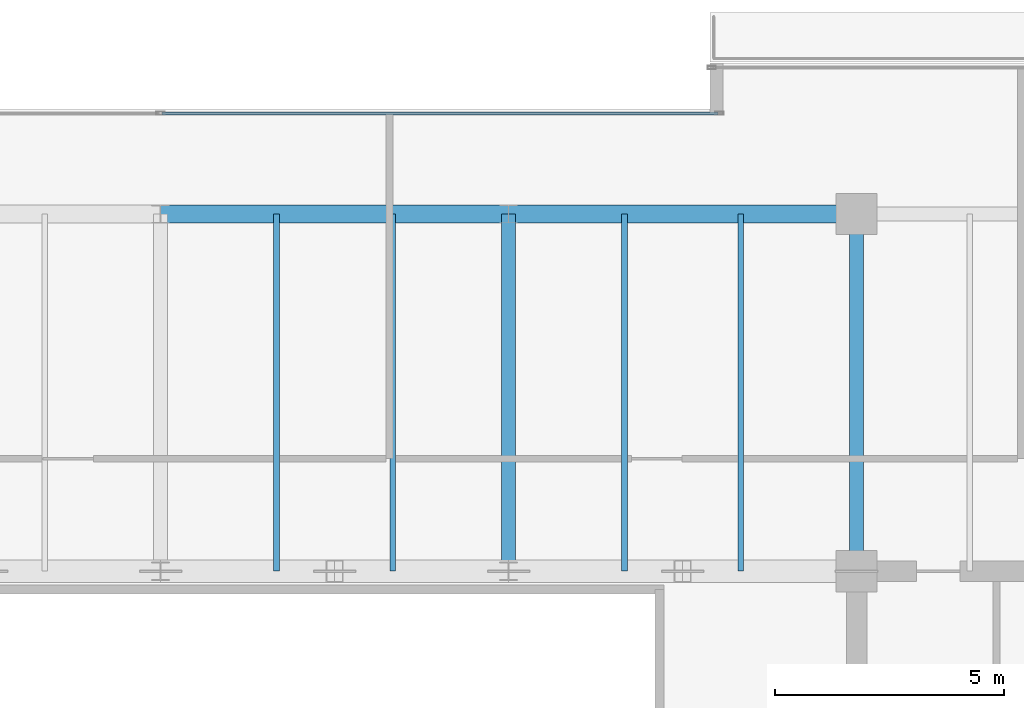
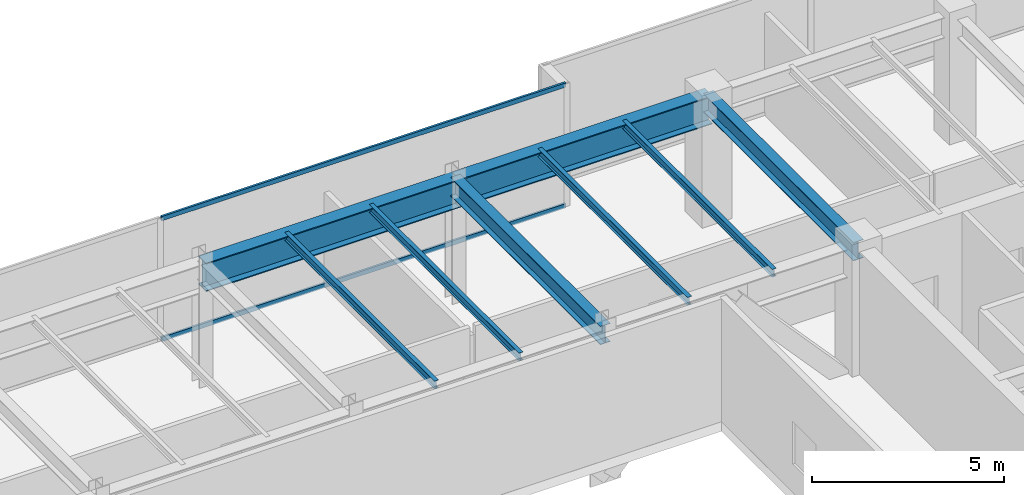
# One storey, part 22 of 34: 8 beams, 2 members, 1 element without a shape of its own.
"""IFC4 building model written with IfcOpenShell, lengths in metres."""

from ifc_helpers import new_model, si_unit, direction, frame, origin, origin_2d, place, context, subcontext, project, spatial, hollow_rectangle, i_section, extrude, source, transform, mapped, material, layer, layer_set, material_profile, profile_set, type_object, type_shapes, element, aggregate, save


model = new_model("IFC4")

# Units and contexts
model_context = context("Model", 3, precision=1e-05, world=origin(), true_north=direction((0.0, 1.0)))
body_context = subcontext(model_context, "Body", "Model", "MODEL_VIEW")
ifc_project = project(units=[si_unit("LENGTHUNIT", "METRE"), si_unit("AREAUNIT", "SQUARE_METRE"), si_unit("VOLUMEUNIT", "CUBIC_METRE"), si_unit("PLANEANGLEUNIT", "RADIAN"), si_unit("MASSUNIT", "GRAM", prefix="KILO")], contexts=[model_context])

# Site, building, storey
site_placement = place(None, origin())
site = spatial("IfcSite", under=ifc_project, at=site_placement, CompositionType="ELEMENT")
building_placement = place(site_placement, origin())
building = spatial("IfcBuilding", under=site, at=building_placement, Name="Haelvirn Gate Laboratories", CompositionType="ELEMENT")
storey_placement = place(building_placement, frame((0.0, 0.0, 297.60009765625)))
storey = spatial("IfcBuildingStorey", under=building, at=storey_placement, Name="L71", CompositionType="ELEMENT", Elevation=297.60009765625)

# Beams
ifc_material_1 = material(Name="Steel SM420", Category="steel")
ifc_material_profile_1 = material_profile(ifc_material_1, i_section(OverallWidth=0.39990234375, OverallDepth=0.89990234375, WebThickness=0.01904296875, FlangeThickness=0.031982421875, at=origin_2d()), Name="H-900x400x19x32")
ifc_profile_set_1 = profile_set([ifc_material_profile_1], Name="Steel SM420")
beam_type_1 = type_object("IfcBeamType", Name="BM-TG-900", PredefinedType="BEAM", material=ifc_profile_set_1)
shared_shape_1 = source(origin(), body_context, "Body", "SweptSolid", [
    extrude(i_section(OverallWidth=0.39990234375, OverallDepth=0.89990234375, WebThickness=0.01904296875, FlangeThickness=0.031982421875, at=origin_2d()), origin(), (0.0, 0.0, 1.0), 7.60009765625),
])
type_shapes(beam_type_1, [shared_shape_1])
for number, where, z_axis, x_axis, name in (
    (1, (37.39990234375, 41.60009765625, 3.449951171875), (1.0, 0.0, 0.0), (0.0, 1.0, 0.0), "L71 Primary Girder Y41.6 (37.4-45.0)"),
    (2, (45.0, 41.60009765625, 3.449951171875), (1.0, 0.0, 0.0), (0.0, 1.0, 0.0), "L71 Primary Girder Y41.6 (45.0-52.6)"),
):
    element("IfcBeam", number, at=place(storey_placement, frame(where, z_axis=z_axis, x_axis=x_axis)), inside=storey, type_object=beam_type_1, Name=name, PredefinedType="BEAM", context=body_context, shape_type="MappedRepresentation", body=[
        mapped(shared_shape_1, transform((0.0, 0.0, 0.0), scale=1.0)),
    ])
ifc_material_2 = material(Name="Steel SM355", Category="steel")
ifc_material_profile_2 = material_profile(ifc_material_2, i_section(OverallWidth=0.300048828125, OverallDepth=0.587890625, WebThickness=0.011962890625, FlangeThickness=0.02001953125, at=origin_2d()), Name="H-588x300x12x20")
ifc_profile_set_2 = profile_set([ifc_material_profile_2], Name="Steel SM355")
beam_type_2 = type_object("IfcBeamType", Name="BM-G-588", PredefinedType="BEAM", material=ifc_profile_set_2)
shared_shape_2 = source(origin(), body_context, "Body", "SweptSolid", [
    extrude(i_section(OverallWidth=0.300048828125, OverallDepth=0.587890625, WebThickness=0.011962890625, FlangeThickness=0.02001953125, at=origin_2d()), origin(), (0.0, 0.0, 1.0), 7.800048828125),
])
type_shapes(beam_type_2, [shared_shape_2])
for number, where, z_axis, x_axis, name in (
    (3, (45.0, 33.800048828125, 3.60595703125), (0.0, 1.0, 0.0), (-1.0, 0.0, 0.0), "L71 Frame Girder X45.0 (33.8-41.6)"),
    (4, (52.60009765625, 33.800048828125, 3.60595703125), (0.0, 1.0, 0.0), (-1.0, 0.0, 0.0), "L71 Frame Girder X52.6 (33.8-41.6)"),
):
    element("IfcBeam", number, at=place(storey_placement, frame(where, z_axis=z_axis, x_axis=x_axis)), inside=storey, type_object=beam_type_2, Name=name, PredefinedType="BEAM", context=body_context, shape_type="MappedRepresentation", body=[
        mapped(shared_shape_2, transform((0.0, 0.0, 0.0), scale=1.0)),
    ])
ifc_material_profile_3 = material_profile(ifc_material_2, i_section(OverallWidth=0.125, OverallDepth=0.25, WebThickness=0.006103515625, FlangeThickness=0.009033203125, at=origin_2d()), Name="H-250x125x6x9")
ifc_profile_set_3 = profile_set([ifc_material_profile_3], Name="Steel SM355")
beam_type_3 = type_object("IfcBeamType", Name="BM-J-250", PredefinedType="JOIST", material=ifc_profile_set_3)
shared_shape_3 = source(origin(), body_context, "Body", "SweptSolid", [
    extrude(i_section(OverallWidth=0.125, OverallDepth=0.25, WebThickness=0.006103515625, FlangeThickness=0.009033203125, at=origin_2d()), origin(), (0.0, 0.0, 1.0), 7.800048828125),
])
type_shapes(beam_type_3, [shared_shape_3])
for number, where, z_axis, x_axis, name in (
    (5, (39.929931640625, 33.800048828125, 3.77490234375), (0.0, 1.0, 0.0), (-1.0, 0.0, 0.0), "L71 Composite Lab Joist North X39.93"),
    (6, (42.469970703125, 33.800048828125, 3.77490234375), (0.0, 1.0, 0.0), (-1.0, 0.0, 0.0), "L71 Composite Lab Joist North X42.47"),
    (7, (47.530029296875, 33.800048828125, 3.77490234375), (0.0, 1.0, 0.0), (-1.0, 0.0, 0.0), "L71 Composite Lab Joist North X47.53"),
    (8, (50.070068359375, 33.800048828125, 3.77490234375), (0.0, 1.0, 0.0), (-1.0, 0.0, 0.0), "L71 Composite Lab Joist North X50.07"),
):
    element("IfcBeam", number, at=place(storey_placement, frame(where, z_axis=z_axis, x_axis=x_axis)), inside=storey, type_object=beam_type_3, Name=name, PredefinedType="JOIST", context=body_context, shape_type="MappedRepresentation", body=[
        mapped(shared_shape_3, transform((0.0, 0.0, 0.0), scale=1.0)),
    ])

# Curtain wall, members
ifc_material_3 = material(Name="Anodised bronze unitised aluminium & triple low-E glass", Category="aluminium")
ifc_layer = layer(ifc_material_3, 0.176025390625, Name="CW-SYS-4")
ifc_layer_set = layer_set([ifc_layer], Name="Anodised bronze unitised aluminium & triple low-E glass")
curtain_wall_type = type_object("IfcCurtainWallType", Name="CW-SYS-4", PredefinedType="NOTDEFINED", material=ifc_layer_set)
curtain_wall_placement = place(storey_placement, origin())
curtain_wall = element("IfcCurtainWall", 9, at=curtain_wall_placement, inside=storey, type_object=curtain_wall_type, Name="L71 Unitised Curtain Wall CW-L71-P0-E12-1", PredefinedType="NOTDEFINED")
ifc_material_4 = material(Name="Extruded aluminium 6063-T6 (anodised bronze)", Category="aluminium")
ifc_material_profile_4 = material_profile(ifc_material_4, hollow_rectangle(XDim=0.06494140625, YDim=0.139892578125, WallThickness=0.00390625, at=origin_2d()), Name="CWT-140x65x4")
ifc_profile_set_4 = profile_set([ifc_material_profile_4], Name="Extruded aluminium 6063-T6 (anodised bronze)")
member_type = type_object("IfcMemberType", Name="CWT-T140", PredefinedType="USERDEFINED", material=ifc_profile_set_4)
shared_shape_4 = source(origin(), body_context, "Body", "SweptSolid", [
    extrude(hollow_rectangle(XDim=0.06494140625, YDim=0.139892578125, WallThickness=0.00390625, at=origin_2d()), origin(), (0.0, 0.0, 1.0), 12.135009765625),
])
type_shapes(member_type, [shared_shape_4])
member_1_placement = place(storey_placement, frame((37.43505859375, 43.800048828125, 0.032470703125), z_axis=(1.0, 0.0, 0.0), x_axis=(0.0, 1.0, 0.0)))
member_1 = element("IfcMember", 10, at=member_1_placement, type_object=member_type, Name="CW4 transom 2.1", ObjectType="TRANSOM", PredefinedType="USERDEFINED", context=body_context, shape_type="MappedRepresentation", body=[
    mapped(shared_shape_4, transform((0.0, 0.0, 0.0), scale=1.0)),
])
member_2_placement = place(storey_placement, frame((37.43505859375, 43.800048828125, 3.867431640625), z_axis=(1.0, 0.0, 0.0), x_axis=(0.0, 1.0, 0.0)))
member_2 = element("IfcMember", 11, at=member_2_placement, type_object=member_type, Name="CW4 transom 2.2", ObjectType="TRANSOM", PredefinedType="USERDEFINED", context=body_context, shape_type="MappedRepresentation", body=[
    mapped(shared_shape_4, transform((0.0, 0.0, 0.0), scale=1.0)),
])
aggregate(curtain_wall, [member_1, member_2])

save(model, "model.ifc")
